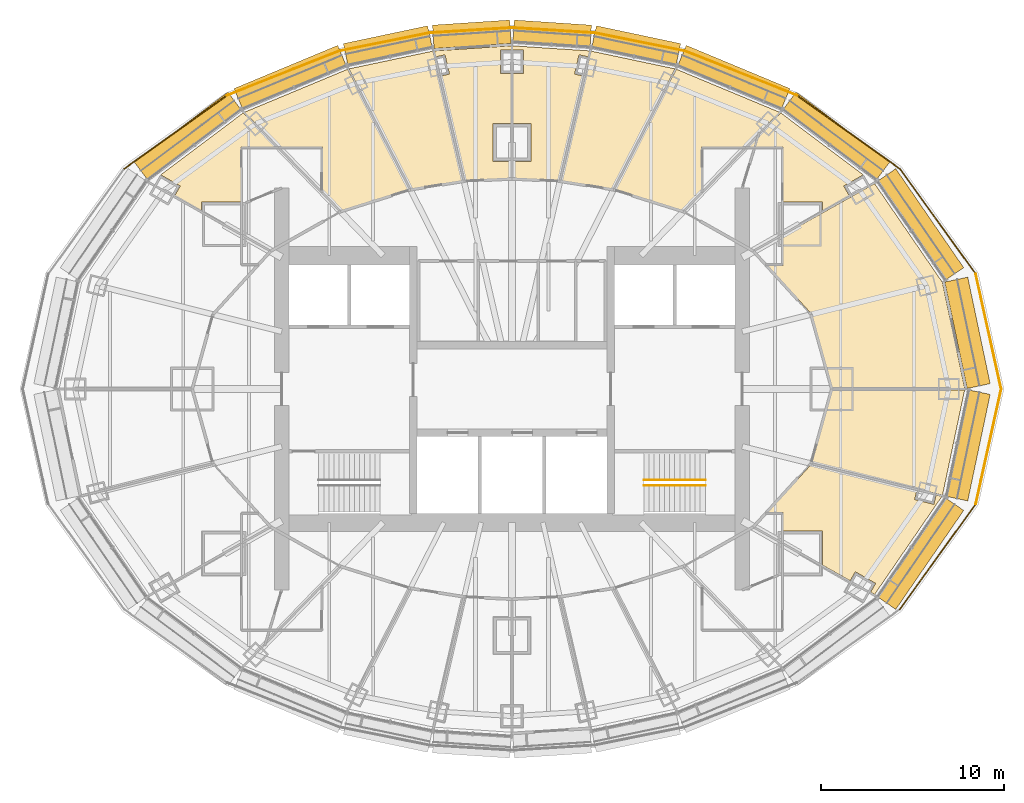
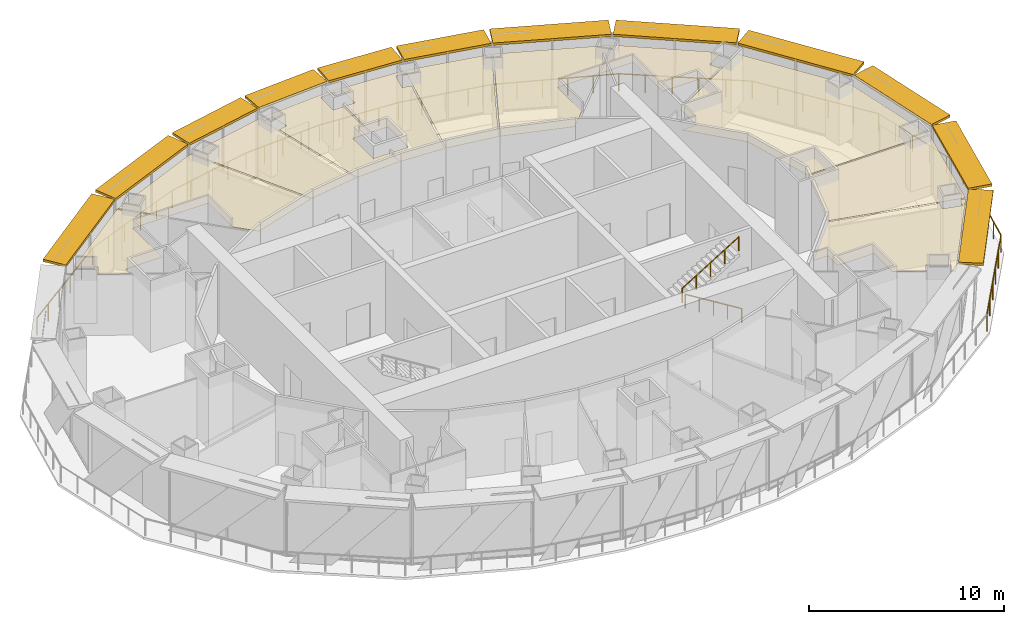
# One storey, part 17 of 17: 14 railings, 12 shading devices, 11 coverings.
"""IFC4 building model written with IfcOpenShell, lengths in metres."""

from ifc_helpers import new_model, si_unit, direction, frame, origin, origin_2d, place, context, subcontext, project, spatial, polyline, rectangle, circle, outline, extrude, material, layer, layer_set, type_object, element, save


model = new_model("IFC4")

# Units and contexts
model_context = context("Model", 3, precision=1e-05, world=origin(), true_north=direction((0.0, 1.0)))
body_context = subcontext(model_context, "Body", "Model", "MODEL_VIEW")
ifc_project = project(units=[si_unit("LENGTHUNIT", "METRE"), si_unit("AREAUNIT", "SQUARE_METRE"), si_unit("VOLUMEUNIT", "CUBIC_METRE"), si_unit("PLANEANGLEUNIT", "RADIAN"), si_unit("MASSUNIT", "GRAM", prefix="KILO")], contexts=[model_context])

# Site, building, storey
site_placement = place(None, origin())
site = spatial("IfcSite", under=ifc_project, at=site_placement, CompositionType="ELEMENT")
building_placement = place(site_placement, origin())
building = spatial("IfcBuilding", under=site, at=building_placement, Name="Lantaw Convention Tower", CompositionType="ELEMENT")
storey_placement = place(building_placement, frame((0.0, 0.0, 270.39990234375)))
storey = spatial("IfcBuildingStorey", under=building, at=storey_placement, Name="L63", CompositionType="ELEMENT", Elevation=270.39990234375)

# Railings
ifc_material_1 = material(Name="Stainless steel", Category="steel")
railing_type_1 = type_object("IfcRailingType", Name="Stair handrail", PredefinedType="HANDRAIL", material=ifc_material_1)
railing_1_placement = place(storey_placement, frame((10.580078125, -5.280029296875, 0.173095703125)))
element("IfcRailing", 1, at=railing_1_placement, inside=storey, type_object=railing_type_1, Name="Stair handrail S2", PredefinedType="HANDRAIL", context=body_context, shape_type="SweptSolid", body=[
    extrude(circle(Radius=0.02392578125, at=origin_2d()), frame((0.0, 0.0, 0.8759765625), z_axis=(-0.850623216509, 0.0, 0.525775754039), x_axis=(0.0, -1.0, 0.0)), (0.0, 0.0, 1.0), 3.9501953125),
    extrude(circle(Radius=0.02099609375, at=origin_2d()), origin(), (0.0, 0.0, 1.0), 0.851806640625),
    extrude(circle(Radius=0.02099609375, at=origin_2d()), frame((-0.840087890625, 0.0, 0.519287109375)), (0.0, 0.0, 1.0), 0.851806640625),
    extrude(circle(Radius=0.02099609375, at=origin_2d()), frame((-1.68017578125, 0.0, 1.03857421875)), (0.0, 0.0, 1.0), 0.851806640625),
    extrude(circle(Radius=0.02099609375, at=origin_2d()), frame((-2.52001953125, 0.0, 1.5576171875)), (0.0, 0.0, 1.0), 0.851806640625),
    extrude(circle(Radius=0.02099609375, at=origin_2d()), frame((-3.360107421875, 0.0, 2.076904296875)), (0.0, 0.0, 1.0), 0.851806640625),
])
railing_2_placement = place(storey_placement, frame((7.219970703125, -4.97998046875, 2.423095703125)))
element("IfcRailing", 2, at=railing_2_placement, inside=storey, type_object=railing_type_1, Name="Stair handrail S2", PredefinedType="HANDRAIL", context=body_context, shape_type="SweptSolid", body=[
    extrude(circle(Radius=0.02392578125, at=origin_2d()), frame((0.0, 0.0, 0.8759765625), z_axis=(0.850623216509, 0.0, 0.525775754039), x_axis=(0.0, 1.0, 0.0)), (0.0, 0.0, 1.0), 3.9501953125),
    extrude(circle(Radius=0.02099609375, at=origin_2d()), origin(), (0.0, 0.0, 1.0), 0.851806640625),
    extrude(circle(Radius=0.02099609375, at=origin_2d()), frame((0.840087890625, 0.0, 0.519287109375)), (0.0, 0.0, 1.0), 0.851806640625),
    extrude(circle(Radius=0.02099609375, at=origin_2d()), frame((1.68017578125, 0.0, 1.03857421875)), (0.0, 0.0, 1.0), 0.851806640625),
    extrude(circle(Radius=0.02099609375, at=origin_2d()), frame((2.52001953125, 0.0, 1.5576171875)), (0.0, 0.0, 1.0), 0.851806640625),
    extrude(circle(Radius=0.02099609375, at=origin_2d()), frame((3.360107421875, 0.0, 2.076904296875)), (0.0, 0.0, 1.0), 0.851806640625),
])

# Coverings
ifc_material_2 = material(Name="Gypsum board on steel suspension grid", Category="steel")
ifc_layer = layer(ifc_material_2, 0.02001953125)
ifc_layer_set = layer_set([ifc_layer], Name="Suspended ceiling")
covering_type = type_object("IfcCoveringType", Name="Suspended ceiling", PredefinedType="CEILING", material=ifc_layer_set)
covering_1_placement = place(storey_placement, frame((0.0, 0.0, 3.75)))
element("IfcCovering", 3, at=covering_1_placement, inside=storey, type_object=covering_type, Name="Reception ceiling", PredefinedType="CEILING", context=body_context, shape_type="SweptSolid", body=[
    extrude(outline(polyline([(16.39794921875, 4.099365234375), (17.5302734375, 0.0400390625), (24.77197265625, 0.0400390625), (23.552734375, 5.83642578125), (19.841552734375, 11.24267578125), (14.840087890625, 8.421875), (14.840087890625, 6.760009765625), (13.975341796875, 6.760009765625), (16.39794921875, 4.099365234375)])), origin(), (0.0, 0.0, 1.0), 0.02001953125),
])
covering_2_placement = place(storey_placement, frame((0.0, 0.0, 3.75)))
element("IfcCovering", 4, at=covering_2_placement, inside=storey, type_object=covering_type, Name="Executive office ceiling", PredefinedType="CEILING", context=body_context, shape_type="SweptSolid", body=[
    extrude(outline(polyline([(19.221435546875, 11.720703125), (14.708251953125, 15.111083984375), (12.880615234375, 13.239990234375), (14.840087890625, 13.239990234375), (14.840087890625, 10.239990234375), (16.989990234375, 10.239990234375), (16.989990234375, 9.726318359375), (18.46826171875, 10.56005859375), (18.153564453125, 11.110595703125), (19.221435546875, 11.720703125)])), origin(), (0.0, 0.0, 1.0), 0.02001953125),
])
covering_3_placement = place(storey_placement, frame((0.0, 0.0, 3.75)))
element("IfcCovering", 5, at=covering_3_placement, inside=storey, type_object=covering_type, Name="Executive office ceiling", PredefinedType="CEILING", context=body_context, shape_type="SweptSolid", body=[
    extrude(outline(polyline([(5.61376953125, 10.928955078125), (9.365234375, 9.75537109375), (10.360107421875, 10.77392578125), (10.360107421875, 13.239990234375), (12.768798828125, 13.239990234375), (14.634521484375, 15.150146484375), (8.994140625, 17.4990234375), (5.61376953125, 10.928955078125)])), origin(), (0.0, 0.0, 1.0), 0.02001953125),
])
covering_4_placement = place(storey_placement, frame((0.0, 0.0, 3.75)))
element("IfcCovering", 6, at=covering_4_placement, inside=storey, type_object=covering_type, Name="Executive office ceiling", PredefinedType="CEILING", context=body_context, shape_type="SweptSolid", body=[
    extrude(outline(polyline([(5.533935546875, 10.948974609375), (8.916015625, 17.521728515625), (4.326416015625, 18.4931640625), (2.673583984375, 11.402587890625), (5.533935546875, 10.948974609375)])), origin(), (0.0, 0.0, 1.0), 0.02001953125),
])
covering_5_placement = place(storey_placement, frame((0.0, 0.0, 3.75)))
element("IfcCovering", 7, at=covering_5_placement, inside=storey, type_object=covering_type, Name="Executive office ceiling", PredefinedType="CEILING", context=body_context, shape_type="SweptSolid", body=[
    extrude(outline(polyline([(0.0400390625, 11.5380859375), (2.593505859375, 11.411376953125), (3.9248046875, 17.122314453125), (3.42529296875, 17.237548828125), (3.66845703125, 18.2900390625), (4.169921875, 18.174072265625), (4.246826171875, 18.50341796875), (0.0400390625, 18.781982421875), (0.0400390625, 18.5400390625), (0.639892578125, 18.5400390625), (0.639892578125, 17.260009765625), (0.0400390625, 17.260009765625), (0.0400390625, 14.5400390625), (1.0400390625, 14.5400390625), (1.0400390625, 12.4599609375), (0.0400390625, 12.4599609375), (0.0400390625, 11.5380859375)])), origin(), (0.0, 0.0, 1.0), 0.02001953125),
])
covering_6_placement = place(storey_placement, frame((0.0, 0.0, 3.75)))
element("IfcCovering", 8, at=covering_6_placement, inside=storey, type_object=covering_type, Name="Executive office ceiling", PredefinedType="CEILING", context=body_context, shape_type="SweptSolid", body=[
    extrude(outline(polyline([(-2.593505859375, 11.411376953125), (-0.0400390625, 11.5380859375), (-0.0400390625, 12.4599609375), (-1.0400390625, 12.4599609375), (-1.0400390625, 14.5400390625), (-0.0400390625, 14.5400390625), (-0.0400390625, 17.260009765625), (-0.639892578125, 17.260009765625), (-0.639892578125, 18.5400390625), (-0.0400390625, 18.5400390625), (-0.0400390625, 18.781982421875), (-4.246826171875, 18.50341796875), (-4.169921875, 18.174072265625), (-3.66845703125, 18.2900390625), (-3.42529296875, 17.237548828125), (-3.9248046875, 17.122314453125), (-2.593505859375, 11.411376953125)])), origin(), (0.0, 0.0, 1.0), 0.02001953125),
])
covering_7_placement = place(storey_placement, frame((0.0, 0.0, 3.75)))
element("IfcCovering", 9, at=covering_7_placement, inside=storey, type_object=covering_type, Name="Executive office ceiling", PredefinedType="CEILING", context=body_context, shape_type="SweptSolid", body=[
    extrude(outline(polyline([(-2.673583984375, 11.402587890625), (-4.326416015625, 18.4931640625), (-8.916015625, 17.521728515625), (-5.533935546875, 10.948974609375), (-2.673583984375, 11.402587890625)])), origin(), (0.0, 0.0, 1.0), 0.02001953125),
])
covering_8_placement = place(storey_placement, frame((0.0, 0.0, 3.75)))
element("IfcCovering", 10, at=covering_8_placement, inside=storey, type_object=covering_type, Name="Executive office ceiling", PredefinedType="CEILING", context=body_context, shape_type="SweptSolid", body=[
    extrude(outline(polyline([(-9.365234375, 9.75537109375), (-5.61376953125, 10.928955078125), (-8.994140625, 17.4990234375), (-14.634521484375, 15.150146484375), (-12.768798828125, 13.239990234375), (-10.360107421875, 13.239990234375), (-10.360107421875, 10.77392578125), (-9.365234375, 9.75537109375)])), origin(), (0.0, 0.0, 1.0), 0.02001953125),
])
covering_9_placement = place(storey_placement, frame((0.0, 0.0, 3.75)))
element("IfcCovering", 11, at=covering_9_placement, inside=storey, type_object=covering_type, Name="Executive office ceiling", PredefinedType="CEILING", context=body_context, shape_type="SweptSolid", body=[
    extrude(outline(polyline([(-19.221435546875, 11.720703125), (-18.153564453125, 11.110595703125), (-18.46826171875, 10.56005859375), (-16.989990234375, 9.726318359375), (-16.989990234375, 10.239990234375), (-14.840087890625, 10.239990234375), (-14.840087890625, 13.239990234375), (-12.880615234375, 13.239990234375), (-14.708251953125, 15.111083984375), (-19.221435546875, 11.720703125)])), origin(), (0.0, 0.0, 1.0), 0.02001953125),
])
covering_10_placement = place(storey_placement, frame((0.0, 0.0, 3.75)))
element("IfcCovering", 12, at=covering_10_placement, inside=storey, type_object=covering_type, Name="Meeting room ceiling", PredefinedType="CEILING", context=body_context, shape_type="SweptSolid", body=[
    extrude(outline(polyline([(22.158935546875, -5.54248046875), (16.37548828125, -4.1240234375), (13.975341796875, -6.760009765625), (14.840087890625, -6.760009765625), (14.840087890625, -7.760009765625), (16.989990234375, -7.760009765625), (16.989990234375, -9.634521484375), (18.508056640625, -10.490478515625), (18.788818359375, -9.999267578125), (19.900146484375, -10.63427734375), (19.623046875, -11.119384765625), (19.841552734375, -11.24267578125), (23.524658203125, -5.87744140625), (23.207763671875, -5.7998046875), (23.080322265625, -6.31103515625), (22.032470703125, -6.0498046875), (22.158935546875, -5.54248046875)])), origin(), (0.0, 0.0, 1.0), 0.02001953125),
])
covering_11_placement = place(storey_placement, frame((0.0, 0.0, 3.75)))
element("IfcCovering", 13, at=covering_11_placement, inside=storey, type_object=covering_type, Name="Quiet room ceiling", PredefinedType="CEILING", context=body_context, shape_type="SweptSolid", body=[
    extrude(outline(polyline([(16.41162109375, -4.050537109375), (23.5595703125, -5.8037109375), (24.77197265625, -0.0400390625), (17.5302734375, -0.0400390625), (16.41162109375, -4.050537109375)])), origin(), (0.0, 0.0, 1.0), 0.02001953125),
])

# Railings
ifc_material_3 = material(Name="Stainless steel posts and laminated glass, pale silver finish", Category="steel")
railing_type_2 = type_object("IfcRailingType", Name="Terrace guard railing 1100", PredefinedType="GUARDRAIL", material=ifc_material_3)
railing_3_placement = place(storey_placement, frame((26.76953125, 0.0, 0.0)))
element("IfcRailing", 14, at=railing_3_placement, inside=storey, type_object=railing_type_2, Name="Terrace guard", PredefinedType="GUARDRAIL", context=body_context, shape_type="SweptSolid", body=[
    extrude(circle(Radius=0.02392578125, at=origin_2d()), frame((0.0, 0.0, 1.076171875), z_axis=(-0.215890377558, 0.976417607829, 0.0), x_axis=(-0.976417607829, -0.215890377558, 0.0)), (0.0, 0.0, 1.0), 6.43798828125),
    extrude(circle(Radius=0.02099609375, at=origin_2d()), origin(), (0.0, 0.0, 1.0), 1.052001953125),
    extrude(circle(Radius=0.02099609375, at=origin_2d()), frame((-0.278076171875, 1.25732421875, 0.0)), (0.0, 0.0, 1.0), 1.052001953125),
    extrude(circle(Radius=0.02099609375, at=origin_2d()), frame((-0.555908203125, 2.514404296875, 0.0)), (0.0, 0.0, 1.0), 1.052001953125),
    extrude(circle(Radius=0.02099609375, at=origin_2d()), frame((-0.833984375, 3.771728515625, 0.0)), (0.0, 0.0, 1.0), 1.052001953125),
    extrude(circle(Radius=0.02099609375, at=origin_2d()), frame((-1.11181640625, 5.02880859375, 0.0)), (0.0, 0.0, 1.0), 1.052001953125),
    extrude(circle(Radius=0.02099609375, at=origin_2d()), frame((-1.389892578125, 6.2861328125, 0.0)), (0.0, 0.0, 1.0), 1.052001953125),
])
railing_4_placement = place(storey_placement, frame((25.379638671875, 6.2861328125, 0.0)))
element("IfcRailing", 15, at=railing_4_placement, inside=storey, type_object=railing_type_2, Name="Terrace guard", PredefinedType="GUARDRAIL", context=body_context, shape_type="SweptSolid", body=[
    extrude(circle(Radius=0.02392578125, at=origin_2d()), frame((0.0, 0.0, 1.076171875), z_axis=(-0.585153411034, 0.81092261379, 0.0), x_axis=(-0.81092261379, -0.585153411034, 0.0)), (0.0, 0.0, 1.0), 7.11328125),
    extrude(circle(Radius=0.02099609375, at=origin_2d()), origin(), (0.0, 0.0, 1.0), 1.052001953125),
    extrude(circle(Radius=0.02099609375, at=origin_2d()), frame((-0.83251953125, 1.153564453125, 0.0)), (0.0, 0.0, 1.0), 1.052001953125),
    extrude(circle(Radius=0.02099609375, at=origin_2d()), frame((-1.6650390625, 2.307373046875, 0.0)), (0.0, 0.0, 1.0), 1.052001953125),
    extrude(circle(Radius=0.02099609375, at=origin_2d()), frame((-2.497314453125, 3.4609375, 0.0)), (0.0, 0.0, 1.0), 1.052001953125),
    extrude(circle(Radius=0.02099609375, at=origin_2d()), frame((-3.329833984375, 4.61474609375, 0.0)), (0.0, 0.0, 1.0), 1.052001953125),
    extrude(circle(Radius=0.02099609375, at=origin_2d()), frame((-4.162353515625, 5.768310546875, 0.0)), (0.0, 0.0, 1.0), 1.052001953125),
])
railing_5_placement = place(storey_placement, frame((21.21728515625, 12.054443359375, 0.0)))
element("IfcRailing", 16, at=railing_5_placement, inside=storey, type_object=railing_type_2, Name="Terrace guard", PredefinedType="GUARDRAIL", context=body_context, shape_type="SweptSolid", body=[
    extrude(circle(Radius=0.02392578125, at=origin_2d()), frame((0.0, 0.0, 1.076171875), z_axis=(-0.813671339358, 0.581325168479, 0.0), x_axis=(-0.581325168479, -0.813671339358, 0.0)), (0.0, 0.0, 1.0), 6.903564453125),
    extrude(circle(Radius=0.02099609375, at=origin_2d()), origin(), (0.0, 0.0, 1.0), 1.052001953125),
    extrude(circle(Radius=0.02099609375, at=origin_2d()), frame((-1.12353515625, 0.802734375, 0.0)), (0.0, 0.0, 1.0), 1.052001953125),
    extrude(circle(Radius=0.02099609375, at=origin_2d()), frame((-2.246826171875, 1.605224609375, 0.0)), (0.0, 0.0, 1.0), 1.052001953125),
    extrude(circle(Radius=0.02099609375, at=origin_2d()), frame((-3.370361328125, 2.407958984375, 0.0)), (0.0, 0.0, 1.0), 1.052001953125),
    extrude(circle(Radius=0.02099609375, at=origin_2d()), frame((-4.49365234375, 3.21044921875, 0.0)), (0.0, 0.0, 1.0), 1.052001953125),
    extrude(circle(Radius=0.02099609375, at=origin_2d()), frame((-5.6171875, 4.01318359375, 0.0)), (0.0, 0.0, 1.0), 1.052001953125),
])
railing_6_placement = place(storey_placement, frame((15.60009765625, 16.067626953125, 0.0)))
element("IfcRailing", 17, at=railing_6_placement, inside=storey, type_object=railing_type_2, Name="Terrace guard", PredefinedType="GUARDRAIL", context=body_context, shape_type="SweptSolid", body=[
    extrude(circle(Radius=0.02392578125, at=origin_2d()), frame((0.0, 0.0, 1.076171875), z_axis=(-0.929755653115, 0.368177165914, 0.0), x_axis=(-0.368177165914, -0.929755653115, 0.0)), (0.0, 0.0, 1.0), 6.59326171875),
    extrude(circle(Radius=0.02099609375, at=origin_2d()), origin(), (0.0, 0.0, 1.0), 1.052001953125),
    extrude(circle(Radius=0.02099609375, at=origin_2d()), frame((-1.22607421875, 0.485595703125, 0.0)), (0.0, 0.0, 1.0), 1.052001953125),
    extrude(circle(Radius=0.02099609375, at=origin_2d()), frame((-2.4521484375, 0.970947265625, 0.0)), (0.0, 0.0, 1.0), 1.052001953125),
    extrude(circle(Radius=0.02099609375, at=origin_2d()), frame((-3.677978515625, 1.45654296875, 0.0)), (0.0, 0.0, 1.0), 1.052001953125),
    extrude(circle(Radius=0.02099609375, at=origin_2d()), frame((-4.904052734375, 1.94189453125, 0.0)), (0.0, 0.0, 1.0), 1.052001953125),
    extrude(circle(Radius=0.02099609375, at=origin_2d()), frame((-6.130126953125, 2.427490234375, 0.0)), (0.0, 0.0, 1.0), 1.052001953125),
])
railing_7_placement = place(storey_placement, frame((9.469970703125, 18.4951171875, 0.0)))
element("IfcRailing", 18, at=railing_7_placement, inside=storey, type_object=railing_type_2, Name="Terrace guard", PredefinedType="GUARDRAIL", context=body_context, shape_type="SweptSolid", body=[
    extrude(circle(Radius=0.02392578125, at=origin_2d()), frame((0.0, 0.0, 1.076171875), z_axis=(-0.980369876989, 0.197167198826, 0.0), x_axis=(-0.197167198826, -0.980369876989, 0.0)), (0.0, 0.0, 1.0), 5.047119140625),
    extrude(circle(Radius=0.02099609375, at=origin_2d()), origin(), (0.0, 0.0, 1.0), 1.052001953125),
    extrude(circle(Radius=0.02099609375, at=origin_2d()), frame((-1.237060546875, 0.248779296875, 0.0)), (0.0, 0.0, 1.0), 1.052001953125),
    extrude(circle(Radius=0.02099609375, at=origin_2d()), frame((-2.47412109375, 0.49755859375, 0.0)), (0.0, 0.0, 1.0), 1.052001953125),
    extrude(circle(Radius=0.02099609375, at=origin_2d()), frame((-3.7109375, 0.746337890625, 0.0)), (0.0, 0.0, 1.0), 1.052001953125),
    extrude(circle(Radius=0.02099609375, at=origin_2d()), frame((-4.947998046875, 0.9951171875, 0.0)), (0.0, 0.0, 1.0), 1.052001953125),
])
railing_8_placement = place(storey_placement, frame((4.52197265625, 19.490234375, 0.0)))
element("IfcRailing", 19, at=railing_8_placement, inside=storey, type_object=railing_type_2, Name="Terrace guard", PredefinedType="GUARDRAIL", context=body_context, shape_type="SweptSolid", body=[
    extrude(circle(Radius=0.02392578125, at=origin_2d()), frame((0.0, 0.0, 1.076171875), z_axis=(-0.99802775976, 0.062774124831, 0.0), x_axis=(-0.062774124831, -0.99802775976, 0.0)), (0.0, 0.0, 1.0), 4.531005859375),
    extrude(circle(Radius=0.02099609375, at=origin_2d()), origin(), (0.0, 0.0, 1.0), 1.052001953125),
    extrude(circle(Radius=0.02099609375, at=origin_2d()), frame((-1.13037109375, 0.071044921875, 0.0)), (0.0, 0.0, 1.0), 1.052001953125),
    extrude(circle(Radius=0.02099609375, at=origin_2d()), frame((-2.260986328125, 0.14208984375, 0.0)), (0.0, 0.0, 1.0), 1.052001953125),
    extrude(circle(Radius=0.02099609375, at=origin_2d()), frame((-3.3916015625, 0.21337890625, 0.0)), (0.0, 0.0, 1.0), 1.052001953125),
    extrude(circle(Radius=0.02099609375, at=origin_2d()), frame((-4.52197265625, 0.284423828125, 0.0)), (0.0, 0.0, 1.0), 1.052001953125),
])
railing_9_placement = place(storey_placement, frame((0.0, 19.774658203125, 0.0)))
element("IfcRailing", 20, at=railing_9_placement, inside=storey, type_object=railing_type_2, Name="Terrace guard", PredefinedType="GUARDRAIL", context=body_context, shape_type="SweptSolid", body=[
    extrude(circle(Radius=0.02392578125, at=origin_2d()), frame((0.0, 0.0, 1.076171875), z_axis=(-0.99802775976, -0.062774124831, 0.0), x_axis=(0.062774124831, -0.99802775976, 0.0)), (0.0, 0.0, 1.0), 4.531005859375),
    extrude(circle(Radius=0.02099609375, at=origin_2d()), origin(), (0.0, 0.0, 1.0), 1.052001953125),
    extrude(circle(Radius=0.02099609375, at=origin_2d()), frame((-1.13037109375, -0.071044921875, 0.0)), (0.0, 0.0, 1.0), 1.052001953125),
    extrude(circle(Radius=0.02099609375, at=origin_2d()), frame((-2.260986328125, -0.14208984375, 0.0)), (0.0, 0.0, 1.0), 1.052001953125),
    extrude(circle(Radius=0.02099609375, at=origin_2d()), frame((-3.3916015625, -0.21337890625, 0.0)), (0.0, 0.0, 1.0), 1.052001953125),
    extrude(circle(Radius=0.02099609375, at=origin_2d()), frame((-4.52197265625, -0.284423828125, 0.0)), (0.0, 0.0, 1.0), 1.052001953125),
])
railing_10_placement = place(storey_placement, frame((-4.52197265625, 19.490234375, 0.0)))
element("IfcRailing", 21, at=railing_10_placement, inside=storey, type_object=railing_type_2, Name="Terrace guard", PredefinedType="GUARDRAIL", context=body_context, shape_type="SweptSolid", body=[
    extrude(circle(Radius=0.02392578125, at=origin_2d()), frame((0.0, 0.0, 1.076171875), z_axis=(-0.980369876989, -0.197167198826, 0.0), x_axis=(0.197167198826, -0.980369876989, 0.0)), (0.0, 0.0, 1.0), 5.047119140625),
    extrude(circle(Radius=0.02099609375, at=origin_2d()), origin(), (0.0, 0.0, 1.0), 1.052001953125),
    extrude(circle(Radius=0.02099609375, at=origin_2d()), frame((-1.237060546875, -0.248779296875, 0.0)), (0.0, 0.0, 1.0), 1.052001953125),
    extrude(circle(Radius=0.02099609375, at=origin_2d()), frame((-2.47412109375, -0.49755859375, 0.0)), (0.0, 0.0, 1.0), 1.052001953125),
    extrude(circle(Radius=0.02099609375, at=origin_2d()), frame((-3.7109375, -0.746337890625, 0.0)), (0.0, 0.0, 1.0), 1.052001953125),
    extrude(circle(Radius=0.02099609375, at=origin_2d()), frame((-4.947998046875, -0.9951171875, 0.0)), (0.0, 0.0, 1.0), 1.052001953125),
])
railing_11_placement = place(storey_placement, frame((-9.469970703125, 18.4951171875, 0.0)))
element("IfcRailing", 22, at=railing_11_placement, inside=storey, type_object=railing_type_2, Name="Terrace guard", PredefinedType="GUARDRAIL", context=body_context, shape_type="SweptSolid", body=[
    extrude(circle(Radius=0.02392578125, at=origin_2d()), frame((0.0, 0.0, 1.076171875), z_axis=(-0.929755653115, -0.368177165914, 0.0), x_axis=(0.368177165914, -0.929755653115, 0.0)), (0.0, 0.0, 1.0), 6.59326171875),
    extrude(circle(Radius=0.02099609375, at=origin_2d()), origin(), (0.0, 0.0, 1.0), 1.052001953125),
    extrude(circle(Radius=0.02099609375, at=origin_2d()), frame((-1.22607421875, -0.485595703125, 0.0)), (0.0, 0.0, 1.0), 1.052001953125),
    extrude(circle(Radius=0.02099609375, at=origin_2d()), frame((-2.4521484375, -0.970947265625, 0.0)), (0.0, 0.0, 1.0), 1.052001953125),
    extrude(circle(Radius=0.02099609375, at=origin_2d()), frame((-3.677978515625, -1.45654296875, 0.0)), (0.0, 0.0, 1.0), 1.052001953125),
    extrude(circle(Radius=0.02099609375, at=origin_2d()), frame((-4.904052734375, -1.94189453125, 0.0)), (0.0, 0.0, 1.0), 1.052001953125),
    extrude(circle(Radius=0.02099609375, at=origin_2d()), frame((-6.130126953125, -2.427490234375, 0.0)), (0.0, 0.0, 1.0), 1.052001953125),
])
railing_12_placement = place(storey_placement, frame((-15.60009765625, 16.067626953125, 0.0)))
element("IfcRailing", 23, at=railing_12_placement, inside=storey, type_object=railing_type_2, Name="Terrace guard", PredefinedType="GUARDRAIL", context=body_context, shape_type="SweptSolid", body=[
    extrude(circle(Radius=0.02392578125, at=origin_2d()), frame((0.0, 0.0, 1.076171875), z_axis=(-0.813671339358, -0.581325168479, 0.0), x_axis=(0.581325168479, -0.813671339358, 0.0)), (0.0, 0.0, 1.0), 6.903564453125),
    extrude(circle(Radius=0.02099609375, at=origin_2d()), origin(), (0.0, 0.0, 1.0), 1.052001953125),
    extrude(circle(Radius=0.02099609375, at=origin_2d()), frame((-1.12353515625, -0.802734375, 0.0)), (0.0, 0.0, 1.0), 1.052001953125),
    extrude(circle(Radius=0.02099609375, at=origin_2d()), frame((-2.246826171875, -1.605224609375, 0.0)), (0.0, 0.0, 1.0), 1.052001953125),
    extrude(circle(Radius=0.02099609375, at=origin_2d()), frame((-3.370361328125, -2.407958984375, 0.0)), (0.0, 0.0, 1.0), 1.052001953125),
    extrude(circle(Radius=0.02099609375, at=origin_2d()), frame((-4.49365234375, -3.21044921875, 0.0)), (0.0, 0.0, 1.0), 1.052001953125),
    extrude(circle(Radius=0.02099609375, at=origin_2d()), frame((-5.6171875, -4.01318359375, 0.0)), (0.0, 0.0, 1.0), 1.052001953125),
])
railing_13_placement = place(storey_placement, frame((21.21728515625, -12.054443359375, 0.0)))
element("IfcRailing", 24, at=railing_13_placement, inside=storey, type_object=railing_type_2, Name="Terrace guard", PredefinedType="GUARDRAIL", context=body_context, shape_type="SweptSolid", body=[
    extrude(circle(Radius=0.02392578125, at=origin_2d()), frame((0.0, 0.0, 1.076171875), z_axis=(0.585153411034, 0.81092261379, 0.0), x_axis=(-0.81092261379, 0.585153411034, 0.0)), (0.0, 0.0, 1.0), 7.11328125),
    extrude(circle(Radius=0.02099609375, at=origin_2d()), origin(), (0.0, 0.0, 1.0), 1.052001953125),
    extrude(circle(Radius=0.02099609375, at=origin_2d()), frame((0.83251953125, 1.153564453125, 0.0)), (0.0, 0.0, 1.0), 1.052001953125),
    extrude(circle(Radius=0.02099609375, at=origin_2d()), frame((1.6650390625, 2.307373046875, 0.0)), (0.0, 0.0, 1.0), 1.052001953125),
    extrude(circle(Radius=0.02099609375, at=origin_2d()), frame((2.497314453125, 3.4609375, 0.0)), (0.0, 0.0, 1.0), 1.052001953125),
    extrude(circle(Radius=0.02099609375, at=origin_2d()), frame((3.329833984375, 4.61474609375, 0.0)), (0.0, 0.0, 1.0), 1.052001953125),
    extrude(circle(Radius=0.02099609375, at=origin_2d()), frame((4.162353515625, 5.768310546875, 0.0)), (0.0, 0.0, 1.0), 1.052001953125),
])
railing_14_placement = place(storey_placement, frame((25.379638671875, -6.2861328125, 0.0)))
element("IfcRailing", 25, at=railing_14_placement, inside=storey, type_object=railing_type_2, Name="Terrace guard", PredefinedType="GUARDRAIL", context=body_context, shape_type="SweptSolid", body=[
    extrude(circle(Radius=0.02392578125, at=origin_2d()), frame((0.0, 0.0, 1.076171875), z_axis=(0.215890377558, 0.976417607829, 0.0), x_axis=(-0.976417607829, 0.215890377558, 0.0)), (0.0, 0.0, 1.0), 6.43798828125),
    extrude(circle(Radius=0.02099609375, at=origin_2d()), origin(), (0.0, 0.0, 1.0), 1.052001953125),
    extrude(circle(Radius=0.02099609375, at=origin_2d()), frame((0.278076171875, 1.25732421875, 0.0)), (0.0, 0.0, 1.0), 1.052001953125),
    extrude(circle(Radius=0.02099609375, at=origin_2d()), frame((0.555908203125, 2.514404296875, 0.0)), (0.0, 0.0, 1.0), 1.052001953125),
    extrude(circle(Radius=0.02099609375, at=origin_2d()), frame((0.833984375, 3.771728515625, 0.0)), (0.0, 0.0, 1.0), 1.052001953125),
    extrude(circle(Radius=0.02099609375, at=origin_2d()), frame((1.11181640625, 5.02880859375, 0.0)), (0.0, 0.0, 1.0), 1.052001953125),
    extrude(circle(Radius=0.02099609375, at=origin_2d()), frame((1.389892578125, 6.2861328125, 0.0)), (0.0, 0.0, 1.0), 1.052001953125),
])

# Shading devices
shading_device_1_placement = place(storey_placement, frame((24.9228515625, 3.076171875, 4.205078125), z_axis=(0.0, 0.0, 1.0), x_axis=(-0.205814054946, 0.978591117263, 0.0)))
element("IfcShadingDevice", 26, at=shading_device_1_placement, inside=storey, Name="SUNSHADE blade", ObjectType="SUNSHADE", PredefinedType="USERDEFINED", context=body_context, shape_type="SweptSolid", body=[
    extrude(rectangle(XDim=5.9521484375, YDim=1.284912109375, at=origin_2d()), origin(), (0.0, 0.0, 1.0), 0.14990234375),
])
shading_device_2_placement = place(storey_placement, frame((22.327880859375, 8.98583984375, 4.205078125), z_axis=(0.0, 0.0, 1.0), x_axis=(-0.565934832921, 0.824449977189, 0.0)))
element("IfcShadingDevice", 27, at=shading_device_2_placement, inside=storey, Name="SUNSHADE blade", ObjectType="SUNSHADE", PredefinedType="USERDEFINED", context=body_context, shape_type="SweptSolid", body=[
    extrude(rectangle(XDim=6.56591796875, YDim=1.284912109375, at=origin_2d()), origin(), (0.0, 0.0, 1.0), 0.14990234375),
])
shading_device_3_placement = place(storey_placement, frame((17.7216796875, 13.8134765625, 4.205078125), z_axis=(0.0, 0.0, 1.0), x_axis=(-0.799517528732, 0.600642756762, 0.0)))
element("IfcShadingDevice", 28, at=shading_device_3_placement, inside=storey, Name="SUNSHADE blade", ObjectType="SUNSHADE", PredefinedType="USERDEFINED", context=body_context, shape_type="SweptSolid", body=[
    extrude(rectangle(XDim=6.3916015625, YDim=1.284912109375, at=origin_2d()), origin(), (0.0, 0.0, 1.0), 0.14990234375),
])
shading_device_4_placement = place(storey_placement, frame((12.1240234375, 17.0322265625, 4.205078125), z_axis=(0.0, 0.0, 1.0), x_axis=(-0.923141777124, 0.384459697924, 0.0)))
element("IfcShadingDevice", 29, at=shading_device_4_placement, inside=storey, Name="SUNSHADE blade", ObjectType="SUNSHADE", PredefinedType="USERDEFINED", context=body_context, shape_type="SweptSolid", body=[
    extrude(rectangle(XDim=6.14404296875, YDim=1.284912109375, at=origin_2d()), origin(), (0.0, 0.0, 1.0), 0.14990234375),
])
shading_device_5_placement = place(storey_placement, frame((6.78955078125, 18.761474609375, 4.205078125), z_axis=(0.0, 0.0, 1.0), x_axis=(-0.978332497083, 0.207039911975, 0.0)))
element("IfcShadingDevice", 30, at=shading_device_5_placement, inside=storey, Name="SUNSHADE blade", ObjectType="SUNSHADE", PredefinedType="USERDEFINED", context=body_context, shape_type="SweptSolid", body=[
    extrude(rectangle(XDim=4.71142578125, YDim=1.284912109375, at=origin_2d()), origin(), (0.0, 0.0, 1.0), 0.14990234375),
])
for number, where, z_axis, x_axis, name in (
    (31, (2.197021484375, 19.413330078125, 4.205078125), (0.0, 0.0, 1.0), (-0.997817975525, 0.066024902273, 0.0), "SUNSHADE blade"),
    (32, (-2.197021484375, 19.413330078125, 4.205078125), (0.0, 0.0, 1.0), (-0.997817975525, -0.066024902273, 0.0), "SUNSHADE blade"),
):
    element("IfcShadingDevice", number, at=place(storey_placement, frame(where, z_axis=z_axis, x_axis=x_axis)), inside=storey, Name=name, ObjectType="SUNSHADE", PredefinedType="USERDEFINED", context=body_context, shape_type="SweptSolid", body=[
        extrude(rectangle(XDim=4.22998046875, YDim=1.284912109375, at=origin_2d()), origin(), (0.0, 0.0, 1.0), 0.14990234375),
    ])
shading_device_6_placement = place(storey_placement, frame((-6.78955078125, 18.761474609375, 4.205078125), z_axis=(0.0, 0.0, 1.0), x_axis=(-0.978332497083, -0.207039911975, 0.0)))
element("IfcShadingDevice", 33, at=shading_device_6_placement, inside=storey, Name="SUNSHADE blade", ObjectType="SUNSHADE", PredefinedType="USERDEFINED", context=body_context, shape_type="SweptSolid", body=[
    extrude(rectangle(XDim=4.71142578125, YDim=1.284912109375, at=origin_2d()), origin(), (0.0, 0.0, 1.0), 0.14990234375),
])
shading_device_7_placement = place(storey_placement, frame((-12.1240234375, 17.0322265625, 4.205078125), z_axis=(0.0, 0.0, 1.0), x_axis=(-0.923141777124, -0.384459697924, 0.0)))
element("IfcShadingDevice", 34, at=shading_device_7_placement, inside=storey, Name="SUNSHADE blade", ObjectType="SUNSHADE", PredefinedType="USERDEFINED", context=body_context, shape_type="SweptSolid", body=[
    extrude(rectangle(XDim=6.14404296875, YDim=1.284912109375, at=origin_2d()), origin(), (0.0, 0.0, 1.0), 0.14990234375),
])
shading_device_8_placement = place(storey_placement, frame((-17.7216796875, 13.8134765625, 4.205078125), z_axis=(0.0, 0.0, 1.0), x_axis=(-0.799517528732, -0.600642756762, 0.0)))
element("IfcShadingDevice", 35, at=shading_device_8_placement, inside=storey, Name="SUNSHADE blade", ObjectType="SUNSHADE", PredefinedType="USERDEFINED", context=body_context, shape_type="SweptSolid", body=[
    extrude(rectangle(XDim=6.3916015625, YDim=1.284912109375, at=origin_2d()), origin(), (0.0, 0.0, 1.0), 0.14990234375),
])
shading_device_9_placement = place(storey_placement, frame((22.327880859375, -8.98583984375, 4.205078125), z_axis=(0.0, 0.0, 1.0), x_axis=(0.565934832921, 0.824449977189, 0.0)))
element("IfcShadingDevice", 36, at=shading_device_9_placement, inside=storey, Name="SUNSHADE blade", ObjectType="SUNSHADE", PredefinedType="USERDEFINED", context=body_context, shape_type="SweptSolid", body=[
    extrude(rectangle(XDim=6.56591796875, YDim=1.284912109375, at=origin_2d()), origin(), (0.0, 0.0, 1.0), 0.14990234375),
])
shading_device_10_placement = place(storey_placement, frame((24.9228515625, -3.076171875, 4.205078125), z_axis=(0.0, 0.0, 1.0), x_axis=(0.205814054946, 0.978591117263, 0.0)))
element("IfcShadingDevice", 37, at=shading_device_10_placement, inside=storey, Name="SUNSHADE blade", ObjectType="SUNSHADE", PredefinedType="USERDEFINED", context=body_context, shape_type="SweptSolid", body=[
    extrude(rectangle(XDim=5.9521484375, YDim=1.284912109375, at=origin_2d()), origin(), (0.0, 0.0, 1.0), 0.14990234375),
])

save(model, "model.ifc")
